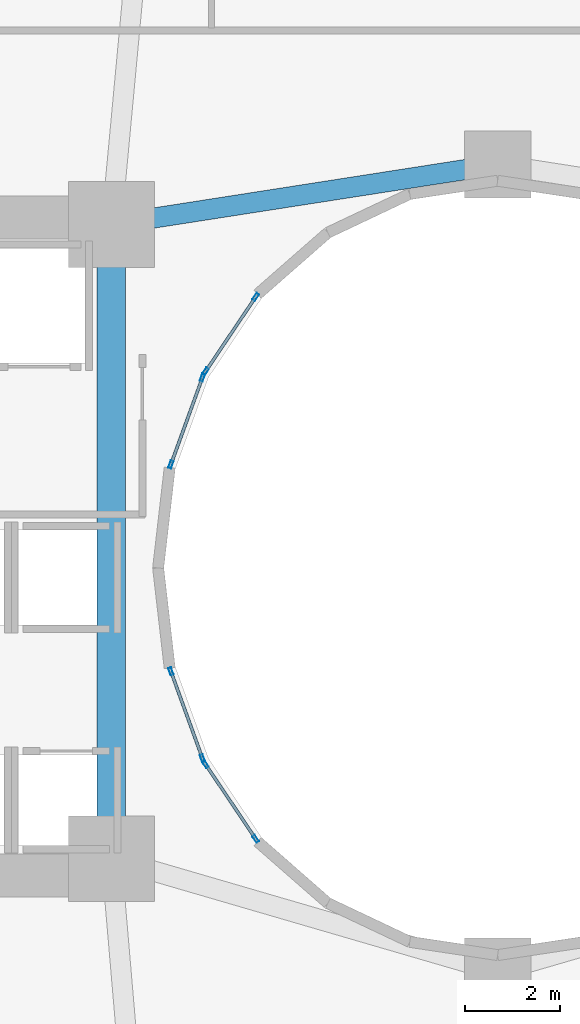
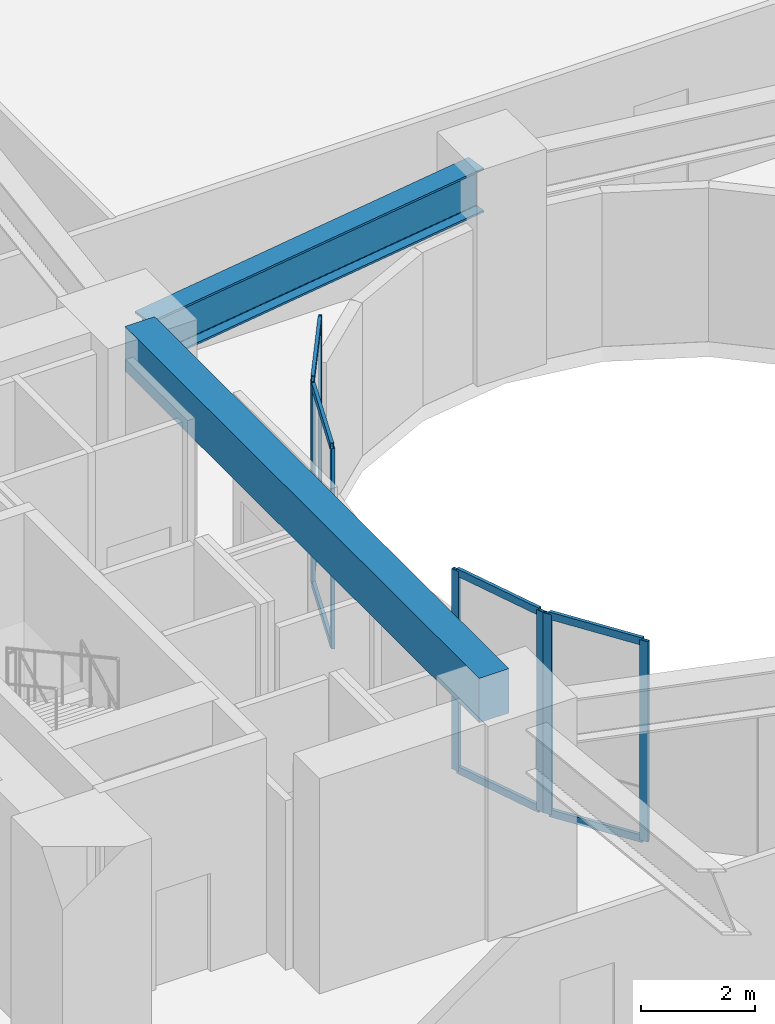
# One storey, part 4 of 25: 16 members, 2 beams, 4 elements without a shape of their own.
"""IFC4 building model written with IfcOpenShell, lengths in metres."""

from ifc_helpers import new_model, si_unit, direction, frame, origin, origin_2d, place, context, subcontext, project, spatial, rectangle, hollow_rectangle, i_section, extrude, material, layer, layer_set, material_profile, profile_set, type_object, element, aggregate, save


model = new_model("IFC4")

# Units and contexts
model_context = context("Model", 3, precision=1e-05, world=origin(), true_north=direction((0.0, 1.0)))
body_context = subcontext(model_context, "Body", "Model", "MODEL_VIEW")
ifc_project = project(units=[si_unit("LENGTHUNIT", "METRE"), si_unit("AREAUNIT", "SQUARE_METRE"), si_unit("VOLUMEUNIT", "CUBIC_METRE"), si_unit("PLANEANGLEUNIT", "RADIAN"), si_unit("MASSUNIT", "GRAM", prefix="KILO")], contexts=[model_context])

# Site, building, storey
site_placement = place(None, origin())
site = spatial("IfcSite", under=ifc_project, at=site_placement, CompositionType="ELEMENT")
building_placement = place(site_placement, origin())
building = spatial("IfcBuilding", under=site, at=building_placement, Name="Solvane Sanctuary Tower", CompositionType="ELEMENT")
storey_placement = place(building_placement, frame((0.0, 0.0, 4.60009765625)))
storey = spatial("IfcBuildingStorey", under=building, at=storey_placement, Name="L02", CompositionType="ELEMENT", Elevation=4.60009765625)

# Beams
ifc_material_1 = material(Name="Concrete C70/85", Category="concrete")
ifc_material_profile_1 = material_profile(ifc_material_1, rectangle(XDim=0.60009765625, YDim=0.949951171875, at=origin_2d()), Name="RC600X950")
ifc_profile_set_1 = profile_set([ifc_material_profile_1], Name="Concrete C70/85")
beam_type_1 = type_object("IfcBeamType", Name="Beam B-COUPLE RC600X950", PredefinedType="LINTEL", material=ifc_profile_set_1)
beam_1_placement = place(storey_placement, frame((23.89990234375, 17.35009765625, 4.125), z_axis=(0.0, 1.0, 0.0), x_axis=(-1.0, 0.0, 0.0)))
element("IfcBeam", 1, at=beam_1_placement, inside=storey, type_object=beam_type_1, Name="L02 West Core Coupling Lintel", PredefinedType="LINTEL", context=body_context, shape_type="SweptSolid", body=[
    extrude(rectangle(XDim=0.60009765625, YDim=0.949951171875, at=origin_2d()), origin(), (0.0, 0.0, 1.0), 12.39990234375),
])
ifc_material_2 = material(Name="Steel ASTM A913 Grade 65", Category="steel")
ifc_material_profile_2 = material_profile(ifc_material_2, i_section(OverallWidth=0.423095703125, OverallDepth=0.947998046875, WebThickness=0.02392578125, FlangeThickness=0.042724609375, FilletRadius=0.02392578125, at=origin_2d()), Name="W36X302")
ifc_profile_set_2 = profile_set([ifc_material_profile_2], Name="Steel ASTM A913 Grade 65")
beam_type_2 = type_object("IfcBeamType", Name="Beam B-POD-GIRD W36X302", PredefinedType="BEAM", material=ifc_profile_set_2)
beam_2_placement = place(storey_placement, frame((24.245849609375, 30.25390625, 3.803955078125), z_axis=(0.988118117449, 0.153696408448, 0.0), x_axis=(-0.153696408448, 0.988118117449, 0.0)))
element("IfcBeam", 2, at=beam_2_placement, inside=storey, type_object=beam_type_2, Name="L02 Podium Primary Girder PG19", PredefinedType="BEAM", context=body_context, shape_type="SweptSolid", body=[
    extrude(i_section(OverallWidth=0.423095703125, OverallDepth=0.947998046875, WebThickness=0.02392578125, FlangeThickness=0.042724609375, FilletRadius=0.02392578125, at=origin_2d()), origin(), (0.0, 0.0, 1.0), 7.49755859375),
])

# Curtain wall, members
ifc_material_3 = material(Name="Anodised Aluminium 6063-T6", Category="aluminium")
ifc_layer = layer(ifc_material_3, 0.199951171875, Name="Anodised Aluminium 6063-T6")
ifc_layer_set = layer_set([ifc_layer], Name="Anodised Aluminium 6063-T6")
curtain_wall_type = type_object("IfcCurtainWallType", Name="Curtain Wall CW-WELL", PredefinedType="NOTDEFINED", material=ifc_layer_set)
curtain_wall_1_placement = place(storey_placement, origin())
curtain_wall_1 = element("IfcCurtainWall", 3, at=curtain_wall_1_placement, inside=storey, type_object=curtain_wall_type, Name="L02 Light-Well Curtain Wall 09", PredefinedType="NOTDEFINED")
ifc_material_profile_3 = material_profile(ifc_material_3, hollow_rectangle(XDim=0.06494140625, YDim=0.159912109375, WallThickness=0.00341796875, at=origin_2d()), Name="ALU160X65X3.5")
ifc_profile_set_3 = profile_set([ifc_material_profile_3], Name="Anodised Aluminium 6063-T6")
member_type_1 = type_object("IfcMemberType", Name="Member M-CW-MUL-2 ALU160X65X3.5", PredefinedType="MULLION", material=ifc_profile_set_3)
member_1_placement = place(storey_placement, frame((26.925048828125, 28.681640625, 0.0), z_axis=(0.0, 0.0, 1.0), x_axis=(0.829664150104, -0.558262839559, 0.0)))
member_1 = element("IfcMember", 4, at=member_1_placement, type_object=member_type_1, Name="CW-WELL mullion 1", PredefinedType="MULLION", context=body_context, shape_type="SweptSolid", body=[
    extrude(hollow_rectangle(XDim=0.06494140625, YDim=0.159912109375, WallThickness=0.00341796875, at=origin_2d()), origin(), (0.0, 0.0, 1.0), 4.27978515625),
])
member_2_placement = place(storey_placement, frame((25.874267578125, 27.1201171875, 0.0), z_axis=(0.0, 0.0, 1.0), x_axis=(0.829664150104, -0.558262839559, 0.0)))
member_2 = element("IfcMember", 5, at=member_2_placement, type_object=member_type_1, Name="CW-WELL mullion 2", PredefinedType="MULLION", context=body_context, shape_type="SweptSolid", body=[
    extrude(hollow_rectangle(XDim=0.06494140625, YDim=0.159912109375, WallThickness=0.00341796875, at=origin_2d()), origin(), (0.0, 0.0, 1.0), 4.27978515625),
])

curtain_wall_2_placement = place(storey_placement, origin())
curtain_wall_2 = element("IfcCurtainWall", 6, at=curtain_wall_2_placement, inside=storey, type_object=curtain_wall_type, Name="L02 Light-Well Curtain Wall 10", PredefinedType="NOTDEFINED")
member_3_placement = place(storey_placement, frame((25.80908203125, 26.991943359375, 0.0), z_axis=(0.0, 0.0, 1.0), x_axis=(0.939937610132, -0.341346289067, 0.0)))
member_3 = element("IfcMember", 7, at=member_3_placement, type_object=member_type_1, Name="CW-WELL mullion 1", PredefinedType="MULLION", context=body_context, shape_type="SweptSolid", body=[
    extrude(hollow_rectangle(XDim=0.06494140625, YDim=0.159912109375, WallThickness=0.00341796875, at=origin_2d()), origin(), (0.0, 0.0, 1.0), 4.27978515625),
])
member_4_placement = place(storey_placement, frame((25.1474609375, 25.169677734375, 0.0), z_axis=(0.0, 0.0, 1.0), x_axis=(0.939937610132, -0.341346289067, 0.0)))
member_4 = element("IfcMember", 8, at=member_4_placement, type_object=member_type_1, Name="CW-WELL mullion 2", PredefinedType="MULLION", context=body_context, shape_type="SweptSolid", body=[
    extrude(hollow_rectangle(XDim=0.06494140625, YDim=0.159912109375, WallThickness=0.00341796875, at=origin_2d()), origin(), (0.0, 0.0, 1.0), 4.27978515625),
])

curtain_wall_3_placement = place(storey_placement, origin())
curtain_wall_3 = element("IfcCurtainWall", 9, at=curtain_wall_3_placement, inside=storey, type_object=curtain_wall_type, Name="L02 Light-Well Curtain Wall 13", PredefinedType="NOTDEFINED")
member_5_placement = place(storey_placement, frame((25.1474609375, 20.830322265625, 0.0), z_axis=(0.0, 0.0, 1.0), x_axis=(0.939937610132, 0.341346289067, 0.0)))
member_5 = element("IfcMember", 10, at=member_5_placement, type_object=member_type_1, Name="CW-WELL mullion 1", PredefinedType="MULLION", context=body_context, shape_type="SweptSolid", body=[
    extrude(hollow_rectangle(XDim=0.06494140625, YDim=0.159912109375, WallThickness=0.00341796875, at=origin_2d()), origin(), (0.0, 0.0, 1.0), 4.27978515625),
])
member_6_placement = place(storey_placement, frame((25.80908203125, 19.008056640625, 0.0), z_axis=(0.0, 0.0, 1.0), x_axis=(0.939937610132, 0.341346289067, 0.0)))
member_6 = element("IfcMember", 11, at=member_6_placement, type_object=member_type_1, Name="CW-WELL mullion 2", PredefinedType="MULLION", context=body_context, shape_type="SweptSolid", body=[
    extrude(hollow_rectangle(XDim=0.06494140625, YDim=0.159912109375, WallThickness=0.00341796875, at=origin_2d()), origin(), (0.0, 0.0, 1.0), 4.27978515625),
])

curtain_wall_4_placement = place(storey_placement, origin())
curtain_wall_4 = element("IfcCurtainWall", 12, at=curtain_wall_4_placement, inside=storey, type_object=curtain_wall_type, Name="L02 Light-Well Curtain Wall 14", PredefinedType="NOTDEFINED")
member_7_placement = place(storey_placement, frame((25.874267578125, 18.8798828125, 0.0), z_axis=(0.0, 0.0, 1.0), x_axis=(0.829664150104, 0.558262839559, 0.0)))
member_7 = element("IfcMember", 13, at=member_7_placement, type_object=member_type_1, Name="CW-WELL mullion 1", PredefinedType="MULLION", context=body_context, shape_type="SweptSolid", body=[
    extrude(hollow_rectangle(XDim=0.06494140625, YDim=0.159912109375, WallThickness=0.00341796875, at=origin_2d()), origin(), (0.0, 0.0, 1.0), 4.27978515625),
])
member_8_placement = place(storey_placement, frame((26.925048828125, 17.318359375, 0.0), z_axis=(0.0, 0.0, 1.0), x_axis=(0.829664150104, 0.558262839559, 0.0)))
member_8 = element("IfcMember", 14, at=member_8_placement, type_object=member_type_1, Name="CW-WELL mullion 2", PredefinedType="MULLION", context=body_context, shape_type="SweptSolid", body=[
    extrude(hollow_rectangle(XDim=0.06494140625, YDim=0.159912109375, WallThickness=0.00341796875, at=origin_2d()), origin(), (0.0, 0.0, 1.0), 4.27978515625),
])

# Member
ifc_material_profile_4 = material_profile(ifc_material_3, hollow_rectangle(XDim=0.06494140625, YDim=0.159912109375, WallThickness=0.00341796875, at=origin_2d()), Name="ALU160X65X3.5")
ifc_profile_set_4 = profile_set([ifc_material_profile_4], Name="Anodised Aluminium 6063-T6")
member_type_2 = type_object("IfcMemberType", Name="Member M-CW-TRN-1 ALU160X65X3.5", PredefinedType="USERDEFINED", material=ifc_profile_set_4)
member_9_placement = place(storey_placement, frame((26.90673828125, 28.654541015625, 0.032470703125), z_axis=(-0.558230518083, -0.829685897603, 0.0), x_axis=(0.829685897603, -0.558230518083, 0.0)))
member_9 = element("IfcMember", 15, at=member_9_placement, type_object=member_type_2, Name="CW-WELL transom 1.1", ObjectType="TRANSOM", PredefinedType="USERDEFINED", context=body_context, shape_type="SweptSolid", body=[
    extrude(hollow_rectangle(XDim=0.06494140625, YDim=0.159912109375, WallThickness=0.00341796875, at=origin_2d()), origin(), (0.0, 0.0, 1.0), 1.816650390625),
])

member_10_placement = place(storey_placement, frame((26.90673828125, 28.654541015625, 4.247314453125), z_axis=(-0.558230518083, -0.829685897603, 0.0), x_axis=(0.829685897603, -0.558230518083, 0.0)))
member_10 = element("IfcMember", 16, at=member_10_placement, type_object=member_type_2, Name="CW-WELL transom 1.2", ObjectType="TRANSOM", PredefinedType="USERDEFINED", context=body_context, shape_type="SweptSolid", body=[
    extrude(hollow_rectangle(XDim=0.06494140625, YDim=0.159912109375, WallThickness=0.00341796875, at=origin_2d()), origin(), (0.0, 0.0, 1.0), 1.816650390625),
])

aggregate(curtain_wall_1, [member_1, member_2, member_9, member_10])

member_11_placement = place(storey_placement, frame((25.798095703125, 26.96142578125, 0.032470703125), z_axis=(-0.341366423667, -0.939930297837, 0.0), x_axis=(0.939930297837, -0.341366423667, 0.0)))
member_11 = element("IfcMember", 17, at=member_11_placement, type_object=member_type_2, Name="CW-WELL transom 1.1", ObjectType="TRANSOM", PredefinedType="USERDEFINED", context=body_context, shape_type="SweptSolid", body=[
    extrude(hollow_rectangle(XDim=0.06494140625, YDim=0.159912109375, WallThickness=0.00341796875, at=origin_2d()), origin(), (0.0, 0.0, 1.0), 1.873779296875),
])

member_12_placement = place(storey_placement, frame((25.798095703125, 26.96142578125, 4.247314453125), z_axis=(-0.341366423667, -0.939930297837, 0.0), x_axis=(0.939930297837, -0.341366423667, 0.0)))
member_12 = element("IfcMember", 18, at=member_12_placement, type_object=member_type_2, Name="CW-WELL transom 1.2", ObjectType="TRANSOM", PredefinedType="USERDEFINED", context=body_context, shape_type="SweptSolid", body=[
    extrude(hollow_rectangle(XDim=0.06494140625, YDim=0.159912109375, WallThickness=0.00341796875, at=origin_2d()), origin(), (0.0, 0.0, 1.0), 1.873779296875),
])

aggregate(curtain_wall_2, [member_3, member_4, member_11, member_12])

member_13_placement = place(storey_placement, frame((25.158447265625, 20.7998046875, 0.032470703125), z_axis=(0.341366423667, -0.939930297837, 0.0), x_axis=(0.939930297837, 0.341366423667, 0.0)))
member_13 = element("IfcMember", 19, at=member_13_placement, type_object=member_type_2, Name="CW-WELL transom 1.1", ObjectType="TRANSOM", PredefinedType="USERDEFINED", context=body_context, shape_type="SweptSolid", body=[
    extrude(hollow_rectangle(XDim=0.06494140625, YDim=0.159912109375, WallThickness=0.00341796875, at=origin_2d()), origin(), (0.0, 0.0, 1.0), 1.873779296875),
])

member_14_placement = place(storey_placement, frame((25.158447265625, 20.7998046875, 4.247314453125), z_axis=(0.341366423667, -0.939930297837, 0.0), x_axis=(0.939930297837, 0.341366423667, 0.0)))
member_14 = element("IfcMember", 20, at=member_14_placement, type_object=member_type_2, Name="CW-WELL transom 1.2", ObjectType="TRANSOM", PredefinedType="USERDEFINED", context=body_context, shape_type="SweptSolid", body=[
    extrude(hollow_rectangle(XDim=0.06494140625, YDim=0.159912109375, WallThickness=0.00341796875, at=origin_2d()), origin(), (0.0, 0.0, 1.0), 1.873779296875),
])

aggregate(curtain_wall_3, [member_5, member_6, member_13, member_14])

member_15_placement = place(storey_placement, frame((25.892578125, 18.852783203125, 0.032470703125), z_axis=(0.558230518083, -0.829685897603, 0.0), x_axis=(0.829685897603, 0.558230518083, 0.0)))
member_15 = element("IfcMember", 21, at=member_15_placement, type_object=member_type_2, Name="CW-WELL transom 1.1", ObjectType="TRANSOM", PredefinedType="USERDEFINED", context=body_context, shape_type="SweptSolid", body=[
    extrude(hollow_rectangle(XDim=0.06494140625, YDim=0.159912109375, WallThickness=0.00341796875, at=origin_2d()), origin(), (0.0, 0.0, 1.0), 1.816650390625),
])

member_16_placement = place(storey_placement, frame((25.892578125, 18.852783203125, 4.247314453125), z_axis=(0.558230518083, -0.829685897603, 0.0), x_axis=(0.829685897603, 0.558230518083, 0.0)))
member_16 = element("IfcMember", 22, at=member_16_placement, type_object=member_type_2, Name="CW-WELL transom 1.2", ObjectType="TRANSOM", PredefinedType="USERDEFINED", context=body_context, shape_type="SweptSolid", body=[
    extrude(hollow_rectangle(XDim=0.06494140625, YDim=0.159912109375, WallThickness=0.00341796875, at=origin_2d()), origin(), (0.0, 0.0, 1.0), 1.816650390625),
])

aggregate(curtain_wall_4, [member_7, member_8, member_15, member_16])

save(model, "model.ifc")
